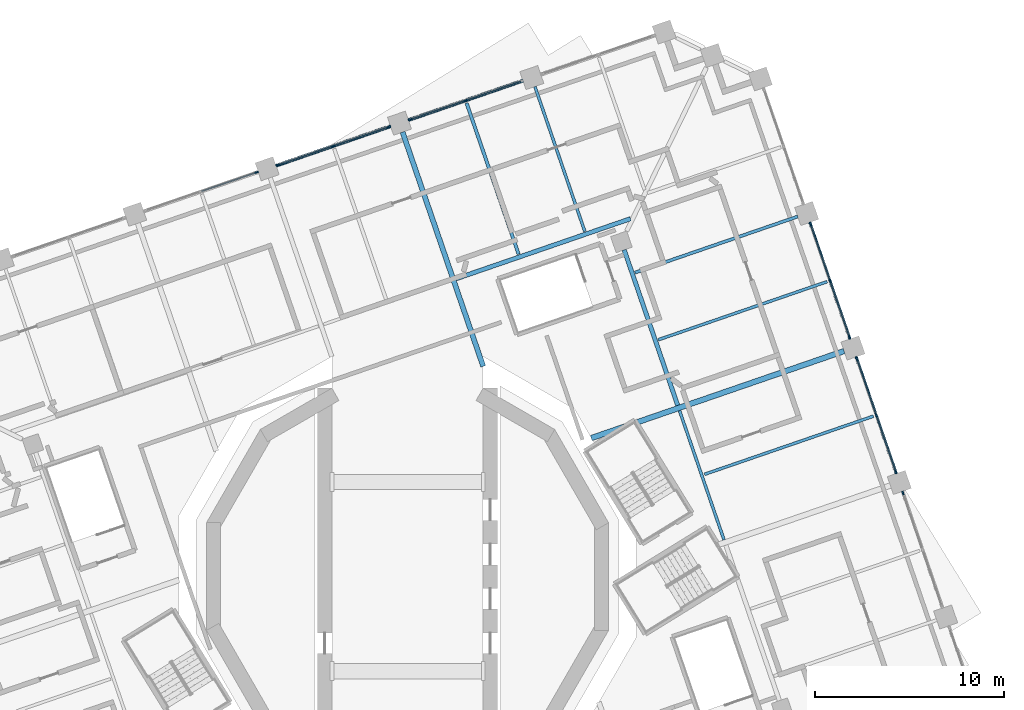
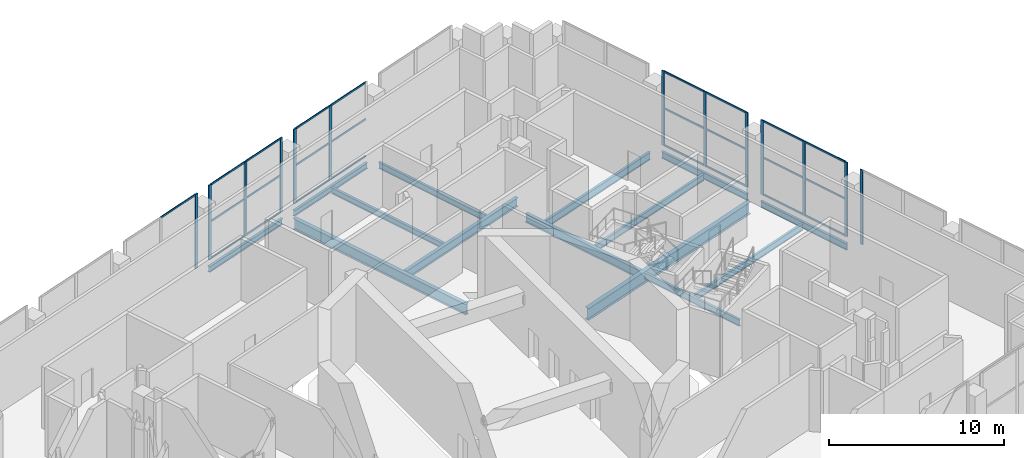
# One storey, part 7 of 20: 38 members, 14 beams, 6 elements without a shape of their own.
"""IFC4 building model written with IfcOpenShell, lengths in metres."""

from ifc_helpers import new_model, si_unit, direction, frame, origin, origin_2d, place, context, subcontext, project, spatial, rectangle, i_section, extrude, material, material_profile, profile_set, type_object, element, aggregate, save


model = new_model("IFC4")

# Units and contexts
model_context = context("Model", 3, precision=1e-05, world=origin(), true_north=direction((0.0, 1.0)))
body_context = subcontext(model_context, "Body", "Model", "MODEL_VIEW")
ifc_project = project(units=[si_unit("LENGTHUNIT", "METRE"), si_unit("AREAUNIT", "SQUARE_METRE"), si_unit("VOLUMEUNIT", "CUBIC_METRE"), si_unit("PLANEANGLEUNIT", "RADIAN"), si_unit("MASSUNIT", "GRAM", prefix="KILO")], contexts=[model_context])

# Site, building, storey
site_placement = place(None, origin())
site = spatial("IfcSite", under=ifc_project, at=site_placement, CompositionType="ELEMENT")
building_placement = place(site_placement, origin())
building = spatial("IfcBuilding", under=site, at=building_placement, Name="Cantera Rosa Tower", CompositionType="ELEMENT")
storey_placement = place(building_placement, frame((0.0, 0.0, 142.10009765625)))
storey = spatial("IfcBuildingStorey", under=building, at=storey_placement, Name="L30", CompositionType="ELEMENT", Elevation=142.10009765625)

# Curtain wall, member
ifc_material_1 = material(Name="Anodised aluminium louvre", Category="aluminium")
curtain_wall_type = type_object("IfcCurtainWallType", Name="CW3 REFUGE LOUVRE WALL", PredefinedType="NOTDEFINED", material=ifc_material_1)
curtain_wall_1_placement = place(storey_placement, origin())
curtain_wall_1 = element("IfcCurtainWall", 1, at=curtain_wall_1_placement, inside=storey, type_object=curtain_wall_type, Name="CW3 CW3", PredefinedType="NOTDEFINED")
ifc_material_2 = material(Name="Anodised bronze aluminium", Category="aluminium")
ifc_material_profile_1 = material_profile(ifc_material_2, rectangle(XDim=0.080078125, YDim=0.199951171875, at=origin_2d()), Name="CW-MULLION 80x200 REFUGE")
ifc_profile_set_1 = profile_set([ifc_material_profile_1], Name="Anodised bronze aluminium")
member_type_1 = type_object("IfcMemberType", Name="CW-MULLION 80x200 REFUGE", PredefinedType="MULLION", material=ifc_profile_set_1)
member_1_placement = place(storey_placement, frame((26.188720703125, 4.4169921875, 0.0), z_axis=(0.0, 0.0, 1.0), x_axis=(-0.945518575594, -0.325568154474, 0.0)))
member_1 = element("IfcMember", 2, at=member_1_placement, type_object=member_type_1, Name="CW3 mullion 3", PredefinedType="MULLION", context=body_context, shape_type="SweptSolid", body=[
    extrude(rectangle(XDim=0.080078125, YDim=0.199951171875, at=origin_2d()), origin(), (0.0, 0.0, 1.0), 5.199951171875),
])
aggregate(curtain_wall_1, [member_1])

# Curtain wall, members
curtain_wall_2_placement = place(storey_placement, origin())
curtain_wall_2 = element("IfcCurtainWall", 3, at=curtain_wall_2_placement, inside=storey, type_object=curtain_wall_type, Name="CW3 CW3", PredefinedType="NOTDEFINED")
member_2_placement = place(storey_placement, frame((25.8046875, 5.532470703125, 0.0), z_axis=(0.0, 0.0, 1.0), x_axis=(-0.945518575605, -0.325568154441, 0.0)))
member_2 = element("IfcMember", 4, at=member_2_placement, type_object=member_type_1, Name="CW3 mullion 1", PredefinedType="MULLION", context=body_context, shape_type="SweptSolid", body=[
    extrude(rectangle(XDim=0.080078125, YDim=0.199951171875, at=origin_2d()), origin(), (0.0, 0.0, 1.0), 5.199951171875),
])
member_3_placement = place(storey_placement, frame((24.772705078125, 8.52978515625, 0.0), z_axis=(0.0, 0.0, 1.0), x_axis=(-0.945518575605, -0.325568154441, 0.0)))
member_3 = element("IfcMember", 5, at=member_3_placement, type_object=member_type_1, Name="CW3 mullion 2", PredefinedType="MULLION", context=body_context, shape_type="SweptSolid", body=[
    extrude(rectangle(XDim=0.080078125, YDim=0.199951171875, at=origin_2d()), origin(), (0.0, 0.0, 1.0), 5.199951171875),
])
member_4_placement = place(storey_placement, frame((23.740478515625, 11.527099609375, 0.0), z_axis=(0.0, 0.0, 1.0), x_axis=(-0.945518575605, -0.325568154441, 0.0)))
member_4 = element("IfcMember", 6, at=member_4_placement, type_object=member_type_1, Name="CW3 mullion 3", PredefinedType="MULLION", context=body_context, shape_type="SweptSolid", body=[
    extrude(rectangle(XDim=0.080078125, YDim=0.199951171875, at=origin_2d()), origin(), (0.0, 0.0, 1.0), 5.199951171875),
])

curtain_wall_3_placement = place(storey_placement, origin())
curtain_wall_3 = element("IfcCurtainWall", 7, at=curtain_wall_3_placement, inside=storey, type_object=curtain_wall_type, Name="CW3 CW3", PredefinedType="NOTDEFINED")
member_5_placement = place(storey_placement, frame((23.3564453125, 12.642822265625, 0.0), z_axis=(0.0, 0.0, 1.0), x_axis=(-0.945518575594, -0.325568154474, 0.0)))
member_5 = element("IfcMember", 8, at=member_5_placement, type_object=member_type_1, Name="CW3 mullion 1", PredefinedType="MULLION", context=body_context, shape_type="SweptSolid", body=[
    extrude(rectangle(XDim=0.080078125, YDim=0.199951171875, at=origin_2d()), origin(), (0.0, 0.0, 1.0), 5.199951171875),
])
member_6_placement = place(storey_placement, frame((22.32421875, 15.64013671875, 0.0), z_axis=(0.0, 0.0, 1.0), x_axis=(-0.945518575594, -0.325568154474, 0.0)))
member_6 = element("IfcMember", 9, at=member_6_placement, type_object=member_type_1, Name="CW3 mullion 2", PredefinedType="MULLION", context=body_context, shape_type="SweptSolid", body=[
    extrude(rectangle(XDim=0.080078125, YDim=0.199951171875, at=origin_2d()), origin(), (0.0, 0.0, 1.0), 5.199951171875),
])
member_7_placement = place(storey_placement, frame((21.292236328125, 18.637451171875, 0.0), z_axis=(0.0, 0.0, 1.0), x_axis=(-0.945518575594, -0.325568154474, 0.0)))
member_7 = element("IfcMember", 10, at=member_7_placement, type_object=member_type_1, Name="CW3 mullion 3", PredefinedType="MULLION", context=body_context, shape_type="SweptSolid", body=[
    extrude(rectangle(XDim=0.080078125, YDim=0.199951171875, at=origin_2d()), origin(), (0.0, 0.0, 1.0), 5.199951171875),
])

curtain_wall_4_placement = place(storey_placement, origin())
curtain_wall_4 = element("IfcCurtainWall", 11, at=curtain_wall_4_placement, inside=storey, type_object=curtain_wall_type, Name="CW3 CW3", PredefinedType="NOTDEFINED")
member_8_placement = place(storey_placement, frame((3.072265625, 25.171630859375, 0.0), z_axis=(0.0, 0.0, 1.0), x_axis=(0.325568154457, -0.945518575599, 0.0)))
member_8 = element("IfcMember", 12, at=member_8_placement, type_object=member_type_1, Name="CW3 mullion 2", PredefinedType="MULLION", context=body_context, shape_type="SweptSolid", body=[
    extrude(rectangle(XDim=0.080078125, YDim=0.199951171875, at=origin_2d()), origin(), (0.0, 0.0, 1.0), 5.199951171875),
])
member_9_placement = place(storey_placement, frame((0.1318359375, 24.1591796875, 0.0), z_axis=(0.0, 0.0, 1.0), x_axis=(0.325568154457, -0.945518575599, 0.0)))
member_9 = element("IfcMember", 13, at=member_9_placement, type_object=member_type_1, Name="CW3 mullion 3", PredefinedType="MULLION", context=body_context, shape_type="SweptSolid", body=[
    extrude(rectangle(XDim=0.080078125, YDim=0.199951171875, at=origin_2d()), origin(), (0.0, 0.0, 1.0), 5.199951171875),
])

curtain_wall_5_placement = place(storey_placement, origin())
curtain_wall_5 = element("IfcCurtainWall", 14, at=curtain_wall_5_placement, inside=storey, type_object=curtain_wall_type, Name="CW3 CW3", PredefinedType="NOTDEFINED")
member_10_placement = place(storey_placement, frame((-0.98388671875, 23.77490234375, 0.0), z_axis=(0.0, 0.0, 1.0), x_axis=(0.325568154408, -0.945518575616, 0.0)))
member_10 = element("IfcMember", 15, at=member_10_placement, type_object=member_type_1, Name="CW3 mullion 1", PredefinedType="MULLION", context=body_context, shape_type="SweptSolid", body=[
    extrude(rectangle(XDim=0.080078125, YDim=0.199951171875, at=origin_2d()), origin(), (0.0, 0.0, 1.0), 5.199951171875),
])
member_11_placement = place(storey_placement, frame((-3.924560546875, 22.762451171875, 0.0), z_axis=(0.0, 0.0, 1.0), x_axis=(0.325568154408, -0.945518575616, 0.0)))
member_11 = element("IfcMember", 16, at=member_11_placement, type_object=member_type_1, Name="CW3 mullion 2", PredefinedType="MULLION", context=body_context, shape_type="SweptSolid", body=[
    extrude(rectangle(XDim=0.080078125, YDim=0.199951171875, at=origin_2d()), origin(), (0.0, 0.0, 1.0), 5.199951171875),
])
member_12_placement = place(storey_placement, frame((-6.864990234375, 21.75, 0.0), z_axis=(0.0, 0.0, 1.0), x_axis=(0.325568154408, -0.945518575616, 0.0)))
member_12 = element("IfcMember", 17, at=member_12_placement, type_object=member_type_1, Name="CW3 mullion 3", PredefinedType="MULLION", context=body_context, shape_type="SweptSolid", body=[
    extrude(rectangle(XDim=0.080078125, YDim=0.199951171875, at=origin_2d()), origin(), (0.0, 0.0, 1.0), 5.199951171875),
])

# Curtain wall, member
curtain_wall_6_placement = place(storey_placement, origin())
curtain_wall_6 = element("IfcCurtainWall", 18, at=curtain_wall_6_placement, inside=storey, type_object=curtain_wall_type, Name="CW3 CW3", PredefinedType="NOTDEFINED")
member_13_placement = place(storey_placement, frame((-7.980712890625, 21.36572265625, 0.0), z_axis=(0.0, 0.0, 1.0), x_axis=(0.325568154457, -0.945518575599, 0.0)))
member_13 = element("IfcMember", 19, at=member_13_placement, type_object=member_type_1, Name="CW3 mullion 1", PredefinedType="MULLION", context=body_context, shape_type="SweptSolid", body=[
    extrude(rectangle(XDim=0.080078125, YDim=0.199951171875, at=origin_2d()), origin(), (0.0, 0.0, 1.0), 5.199951171875),
])

# Member
ifc_material_3 = material(Name="Anodised bronze aluminium", Category="aluminium")
ifc_material_profile_2 = material_profile(ifc_material_3, rectangle(XDim=0.06005859375, YDim=0.1201171875, at=origin_2d()), Name="CW-TRANSOM 60x120 REFUGE")
ifc_profile_set_2 = profile_set([ifc_material_profile_2], Name="Anodised bronze aluminium")
member_type_2 = type_object("IfcMemberType", Name="CW-TRANSOM 60x120 REFUGE", PredefinedType="USERDEFINED", material=ifc_profile_set_2)
member_14_placement = place(storey_placement, frame((25.79150390625, 5.5703125, 0.02978515625), z_axis=(-0.325527993713, 0.945532403098, 0.0), x_axis=(-0.945532403098, -0.325527993713, 0.0)))
member_14 = element("IfcMember", 20, at=member_14_placement, type_object=member_type_2, Name="CW3 transom 1.1", ObjectType="TRANSOM", PredefinedType="USERDEFINED", context=body_context, shape_type="SweptSolid", body=[
    extrude(rectangle(XDim=0.06005859375, YDim=0.1201171875, at=origin_2d()), origin(), (0.0, 0.0, 1.0), 3.08984375),
])

member_15_placement = place(storey_placement, frame((25.79150390625, 5.5703125, 2.599853515625), z_axis=(-0.325527993713, 0.945532403098, 0.0), x_axis=(-0.945532403098, -0.325527993713, 0.0)))
member_15 = element("IfcMember", 21, at=member_15_placement, type_object=member_type_2, Name="CW3 transom 1.2", ObjectType="TRANSOM", PredefinedType="USERDEFINED", context=body_context, shape_type="SweptSolid", body=[
    extrude(rectangle(XDim=0.06005859375, YDim=0.1201171875, at=origin_2d()), origin(), (0.0, 0.0, 1.0), 3.08984375),
])

member_16_placement = place(storey_placement, frame((25.79150390625, 5.5703125, 5.169921875), z_axis=(-0.325527993713, 0.945532403098, 0.0), x_axis=(-0.945532403098, -0.325527993713, 0.0)))
member_16 = element("IfcMember", 22, at=member_16_placement, type_object=member_type_2, Name="CW3 transom 1.3", ObjectType="TRANSOM", PredefinedType="USERDEFINED", context=body_context, shape_type="SweptSolid", body=[
    extrude(rectangle(XDim=0.06005859375, YDim=0.1201171875, at=origin_2d()), origin(), (0.0, 0.0, 1.0), 3.08984375),
])

member_17_placement = place(storey_placement, frame((24.759521484375, 8.567626953125, 0.02978515625), z_axis=(-0.325527993713, 0.945532403098, 0.0), x_axis=(-0.945532403098, -0.325527993713, 0.0)))
member_17 = element("IfcMember", 23, at=member_17_placement, type_object=member_type_2, Name="CW3 transom 2.1", ObjectType="TRANSOM", PredefinedType="USERDEFINED", context=body_context, shape_type="SweptSolid", body=[
    extrude(rectangle(XDim=0.06005859375, YDim=0.1201171875, at=origin_2d()), origin(), (0.0, 0.0, 1.0), 3.08984375),
])

member_18_placement = place(storey_placement, frame((24.759521484375, 8.567626953125, 2.599853515625), z_axis=(-0.325527993713, 0.945532403098, 0.0), x_axis=(-0.945532403098, -0.325527993713, 0.0)))
member_18 = element("IfcMember", 24, at=member_18_placement, type_object=member_type_2, Name="CW3 transom 2.2", ObjectType="TRANSOM", PredefinedType="USERDEFINED", context=body_context, shape_type="SweptSolid", body=[
    extrude(rectangle(XDim=0.06005859375, YDim=0.1201171875, at=origin_2d()), origin(), (0.0, 0.0, 1.0), 3.08984375),
])

member_19_placement = place(storey_placement, frame((24.759521484375, 8.567626953125, 5.169921875), z_axis=(-0.325527993713, 0.945532403098, 0.0), x_axis=(-0.945532403098, -0.325527993713, 0.0)))
member_19 = element("IfcMember", 25, at=member_19_placement, type_object=member_type_2, Name="CW3 transom 2.3", ObjectType="TRANSOM", PredefinedType="USERDEFINED", context=body_context, shape_type="SweptSolid", body=[
    extrude(rectangle(XDim=0.06005859375, YDim=0.1201171875, at=origin_2d()), origin(), (0.0, 0.0, 1.0), 3.08984375),
])

aggregate(curtain_wall_2, [member_2, member_3, member_4, member_14, member_15, member_16, member_17, member_18, member_19])

member_20_placement = place(storey_placement, frame((23.34326171875, 12.6806640625, 0.02978515625), z_axis=(-0.325527993713, 0.945532403098, 0.0), x_axis=(-0.945532403098, -0.325527993713, 0.0)))
member_20 = element("IfcMember", 26, at=member_20_placement, type_object=member_type_2, Name="CW3 transom 1.1", ObjectType="TRANSOM", PredefinedType="USERDEFINED", context=body_context, shape_type="SweptSolid", body=[
    extrude(rectangle(XDim=0.06005859375, YDim=0.1201171875, at=origin_2d()), origin(), (0.0, 0.0, 1.0), 3.08984375),
])

member_21_placement = place(storey_placement, frame((23.34326171875, 12.6806640625, 2.599853515625), z_axis=(-0.325527993713, 0.945532403098, 0.0), x_axis=(-0.945532403098, -0.325527993713, 0.0)))
member_21 = element("IfcMember", 27, at=member_21_placement, type_object=member_type_2, Name="CW3 transom 1.2", ObjectType="TRANSOM", PredefinedType="USERDEFINED", context=body_context, shape_type="SweptSolid", body=[
    extrude(rectangle(XDim=0.06005859375, YDim=0.1201171875, at=origin_2d()), origin(), (0.0, 0.0, 1.0), 3.08984375),
])

member_22_placement = place(storey_placement, frame((23.34326171875, 12.6806640625, 5.169921875), z_axis=(-0.325527993713, 0.945532403098, 0.0), x_axis=(-0.945532403098, -0.325527993713, 0.0)))
member_22 = element("IfcMember", 28, at=member_22_placement, type_object=member_type_2, Name="CW3 transom 1.3", ObjectType="TRANSOM", PredefinedType="USERDEFINED", context=body_context, shape_type="SweptSolid", body=[
    extrude(rectangle(XDim=0.06005859375, YDim=0.1201171875, at=origin_2d()), origin(), (0.0, 0.0, 1.0), 3.08984375),
])

member_23_placement = place(storey_placement, frame((22.311279296875, 15.677978515625, 0.02978515625), z_axis=(-0.325598629893, 0.945508081516, 0.0), x_axis=(-0.945508081516, -0.325598629893, 0.0)))
member_23 = element("IfcMember", 29, at=member_23_placement, type_object=member_type_2, Name="CW3 transom 2.1", ObjectType="TRANSOM", PredefinedType="USERDEFINED", context=body_context, shape_type="SweptSolid", body=[
    extrude(rectangle(XDim=0.06005859375, YDim=0.1201171875, at=origin_2d()), origin(), (0.0, 0.0, 1.0), 3.090087890625),
])

member_24_placement = place(storey_placement, frame((22.311279296875, 15.677978515625, 2.599853515625), z_axis=(-0.325598629893, 0.945508081516, 0.0), x_axis=(-0.945508081516, -0.325598629893, 0.0)))
member_24 = element("IfcMember", 30, at=member_24_placement, type_object=member_type_2, Name="CW3 transom 2.2", ObjectType="TRANSOM", PredefinedType="USERDEFINED", context=body_context, shape_type="SweptSolid", body=[
    extrude(rectangle(XDim=0.06005859375, YDim=0.1201171875, at=origin_2d()), origin(), (0.0, 0.0, 1.0), 3.090087890625),
])

member_25_placement = place(storey_placement, frame((22.311279296875, 15.677978515625, 5.169921875), z_axis=(-0.325598629893, 0.945508081516, 0.0), x_axis=(-0.945508081516, -0.325598629893, 0.0)))
member_25 = element("IfcMember", 31, at=member_25_placement, type_object=member_type_2, Name="CW3 transom 2.3", ObjectType="TRANSOM", PredefinedType="USERDEFINED", context=body_context, shape_type="SweptSolid", body=[
    extrude(rectangle(XDim=0.06005859375, YDim=0.1201171875, at=origin_2d()), origin(), (0.0, 0.0, 1.0), 3.090087890625),
])

aggregate(curtain_wall_3, [member_5, member_6, member_7, member_20, member_21, member_22, member_23, member_24, member_25])

member_26_placement = place(storey_placement, frame((5.97509765625, 26.171142578125, 0.02978515625), z_axis=(-0.94551075118, -0.325590877334, 0.0), x_axis=(0.325590877334, -0.94551075118, 0.0)))
member_26 = element("IfcMember", 32, at=member_26_placement, type_object=member_type_2, Name="CW3 transom 1.1", ObjectType="TRANSOM", PredefinedType="USERDEFINED", context=body_context, shape_type="SweptSolid", body=[
    extrude(rectangle(XDim=0.06005859375, YDim=0.1201171875, at=origin_2d()), origin(), (0.0, 0.0, 1.0), 3.030029296875),
])

member_27_placement = place(storey_placement, frame((5.97509765625, 26.171142578125, 2.599853515625), z_axis=(-0.94551075118, -0.325590877334, 0.0), x_axis=(0.325590877334, -0.94551075118, 0.0)))
member_27 = element("IfcMember", 33, at=member_27_placement, type_object=member_type_2, Name="CW3 transom 1.2", ObjectType="TRANSOM", PredefinedType="USERDEFINED", context=body_context, shape_type="SweptSolid", body=[
    extrude(rectangle(XDim=0.06005859375, YDim=0.1201171875, at=origin_2d()), origin(), (0.0, 0.0, 1.0), 3.030029296875),
])

member_28_placement = place(storey_placement, frame((5.97509765625, 26.171142578125, 5.169921875), z_axis=(-0.94551075118, -0.325590877334, 0.0), x_axis=(0.325590877334, -0.94551075118, 0.0)))
member_28 = element("IfcMember", 34, at=member_28_placement, type_object=member_type_2, Name="CW3 transom 1.3", ObjectType="TRANSOM", PredefinedType="USERDEFINED", context=body_context, shape_type="SweptSolid", body=[
    extrude(rectangle(XDim=0.06005859375, YDim=0.1201171875, at=origin_2d()), origin(), (0.0, 0.0, 1.0), 3.030029296875),
])

member_29_placement = place(storey_placement, frame((3.034423828125, 25.15869140625, 0.02978515625), z_axis=(-0.945502208828, -0.325615683132, 0.0), x_axis=(0.325615683132, -0.945502208828, 0.0)))
member_29 = element("IfcMember", 35, at=member_29_placement, type_object=member_type_2, Name="CW3 transom 2.1", ObjectType="TRANSOM", PredefinedType="USERDEFINED", context=body_context, shape_type="SweptSolid", body=[
    extrude(rectangle(XDim=0.06005859375, YDim=0.1201171875, at=origin_2d()), origin(), (0.0, 0.0, 1.0), 3.02978515625),
])

member_30_placement = place(storey_placement, frame((3.034423828125, 25.15869140625, 2.599853515625), z_axis=(-0.945502208828, -0.325615683132, 0.0), x_axis=(0.325615683132, -0.945502208828, 0.0)))
member_30 = element("IfcMember", 36, at=member_30_placement, type_object=member_type_2, Name="CW3 transom 2.2", ObjectType="TRANSOM", PredefinedType="USERDEFINED", context=body_context, shape_type="SweptSolid", body=[
    extrude(rectangle(XDim=0.06005859375, YDim=0.1201171875, at=origin_2d()), origin(), (0.0, 0.0, 1.0), 3.02978515625),
])

member_31_placement = place(storey_placement, frame((3.034423828125, 25.15869140625, 5.169921875), z_axis=(-0.945502208828, -0.325615683132, 0.0), x_axis=(0.325615683132, -0.945502208828, 0.0)))
member_31 = element("IfcMember", 37, at=member_31_placement, type_object=member_type_2, Name="CW3 transom 2.3", ObjectType="TRANSOM", PredefinedType="USERDEFINED", context=body_context, shape_type="SweptSolid", body=[
    extrude(rectangle(XDim=0.06005859375, YDim=0.1201171875, at=origin_2d()), origin(), (0.0, 0.0, 1.0), 3.02978515625),
])

aggregate(curtain_wall_4, [member_8, member_9, member_26, member_27, member_28, member_29, member_30, member_31])

member_32_placement = place(storey_placement, frame((-1.021728515625, 23.761962890625, 0.02978515625), z_axis=(-0.94551075118, -0.325590877334, 0.0), x_axis=(0.325590877334, -0.94551075118, 0.0)))
member_32 = element("IfcMember", 38, at=member_32_placement, type_object=member_type_2, Name="CW3 transom 1.1", ObjectType="TRANSOM", PredefinedType="USERDEFINED", context=body_context, shape_type="SweptSolid", body=[
    extrude(rectangle(XDim=0.06005859375, YDim=0.1201171875, at=origin_2d()), origin(), (0.0, 0.0, 1.0), 3.030029296875),
])

member_33_placement = place(storey_placement, frame((-1.021728515625, 23.761962890625, 2.599853515625), z_axis=(-0.94551075118, -0.325590877334, 0.0), x_axis=(0.325590877334, -0.94551075118, 0.0)))
member_33 = element("IfcMember", 39, at=member_33_placement, type_object=member_type_2, Name="CW3 transom 1.2", ObjectType="TRANSOM", PredefinedType="USERDEFINED", context=body_context, shape_type="SweptSolid", body=[
    extrude(rectangle(XDim=0.06005859375, YDim=0.1201171875, at=origin_2d()), origin(), (0.0, 0.0, 1.0), 3.030029296875),
])

member_34_placement = place(storey_placement, frame((-1.021728515625, 23.761962890625, 5.169921875), z_axis=(-0.94551075118, -0.325590877334, 0.0), x_axis=(0.325590877334, -0.94551075118, 0.0)))
member_34 = element("IfcMember", 40, at=member_34_placement, type_object=member_type_2, Name="CW3 transom 1.3", ObjectType="TRANSOM", PredefinedType="USERDEFINED", context=body_context, shape_type="SweptSolid", body=[
    extrude(rectangle(XDim=0.06005859375, YDim=0.1201171875, at=origin_2d()), origin(), (0.0, 0.0, 1.0), 3.030029296875),
])

member_35_placement = place(storey_placement, frame((-3.96240234375, 22.74951171875, 0.02978515625), z_axis=(-0.94551075118, -0.325590877334, 0.0), x_axis=(0.325590877334, -0.94551075118, 0.0)))
member_35 = element("IfcMember", 41, at=member_35_placement, type_object=member_type_2, Name="CW3 transom 2.1", ObjectType="TRANSOM", PredefinedType="USERDEFINED", context=body_context, shape_type="SweptSolid", body=[
    extrude(rectangle(XDim=0.06005859375, YDim=0.1201171875, at=origin_2d()), origin(), (0.0, 0.0, 1.0), 3.030029296875),
])

member_36_placement = place(storey_placement, frame((-3.96240234375, 22.74951171875, 2.599853515625), z_axis=(-0.94551075118, -0.325590877334, 0.0), x_axis=(0.325590877334, -0.94551075118, 0.0)))
member_36 = element("IfcMember", 42, at=member_36_placement, type_object=member_type_2, Name="CW3 transom 2.2", ObjectType="TRANSOM", PredefinedType="USERDEFINED", context=body_context, shape_type="SweptSolid", body=[
    extrude(rectangle(XDim=0.06005859375, YDim=0.1201171875, at=origin_2d()), origin(), (0.0, 0.0, 1.0), 3.030029296875),
])

member_37_placement = place(storey_placement, frame((-3.96240234375, 22.74951171875, 5.169921875), z_axis=(-0.94551075118, -0.325590877334, 0.0), x_axis=(0.325590877334, -0.94551075118, 0.0)))
member_37 = element("IfcMember", 43, at=member_37_placement, type_object=member_type_2, Name="CW3 transom 2.3", ObjectType="TRANSOM", PredefinedType="USERDEFINED", context=body_context, shape_type="SweptSolid", body=[
    extrude(rectangle(XDim=0.06005859375, YDim=0.1201171875, at=origin_2d()), origin(), (0.0, 0.0, 1.0), 3.030029296875),
])

aggregate(curtain_wall_5, [member_10, member_11, member_12, member_32, member_33, member_34, member_35, member_36, member_37])

member_38_placement = place(storey_placement, frame((-8.0185546875, 21.352783203125, 5.169921875), z_axis=(-0.94551075118, -0.325590877334, 0.0), x_axis=(0.325590877334, -0.94551075118, 0.0)))
member_38 = element("IfcMember", 44, at=member_38_placement, type_object=member_type_2, Name="CW3 transom 1.3", ObjectType="TRANSOM", PredefinedType="USERDEFINED", context=body_context, shape_type="SweptSolid", body=[
    extrude(rectangle(XDim=0.06005859375, YDim=0.1201171875, at=origin_2d()), origin(), (0.0, 0.0, 1.0), 3.030029296875),
])

aggregate(curtain_wall_6, [member_13, member_38])

# Beams
ifc_material_4 = material(Name="Steel ASTM A992 (Fy 345 MPa)", Category="steel")
ifc_material_profile_3 = material_profile(ifc_material_4, i_section(OverallWidth=0.154052734375, OverallDepth=0.4599609375, WebThickness=0.009033203125, FlangeThickness=0.015380859375, FilletRadius=0.01025390625, at=origin_2d()), Name="W460X68")
ifc_profile_set_3 = profile_set([ifc_material_profile_3], Name="Steel ASTM A992 (Fy 345 MPa)")
beam_type_1 = type_object("IfcBeamType", Name="STEEL BEAM W460X68", PredefinedType="BEAM", material=ifc_profile_set_3)
beam_1_placement = place(storey_placement, frame((6.7333984375, 25.903564453125, -0.68017578125), z_axis=(0.325580085327, -0.945514467387, 0.0), x_axis=(0.945514467387, 0.325580085327, 0.0)))
element("IfcBeam", 45, at=beam_1_placement, inside=storey, type_object=beam_type_1, Name="G-Z2-05 L30", PredefinedType="BEAM", context=body_context, shape_type="SweptSolid", body=[
    extrude(i_section(OverallWidth=0.154052734375, OverallDepth=0.4599609375, WebThickness=0.009033203125, FlangeThickness=0.015380859375, FilletRadius=0.01025390625, at=origin_2d()), origin(), (0.0, 0.0, 1.0), 8.10009765625),
])
beam_2_placement = place(storey_placement, frame((16.72900390625, 1.9423828125, -0.68017578125), z_axis=(-0.325575881702, 0.94551591486, 0.0), x_axis=(-0.94551591486, -0.325575881702, 0.0)))
element("IfcBeam", 46, at=beam_2_placement, inside=storey, type_object=beam_type_1, Name="RB-Z2-10 L30", PredefinedType="BEAM", context=body_context, shape_type="SweptSolid", body=[
    extrude(i_section(OverallWidth=0.154052734375, OverallDepth=0.4599609375, WebThickness=0.009033203125, FlangeThickness=0.015380859375, FilletRadius=0.01025390625, at=origin_2d()), origin(), (0.0, 0.0, 1.0), 7.2197265625),
])
ifc_material_5 = material(Name="Steel ASTM A992 (Fy 345 MPa)", Category="steel")
ifc_material_profile_4 = material_profile(ifc_material_5, i_section(OverallWidth=0.166015625, OverallDepth=0.528076171875, WebThickness=0.009765625, FlangeThickness=0.013671875, FilletRadius=0.0126953125, at=origin_2d()), Name="W530X74")
ifc_profile_set_4 = profile_set([ifc_material_profile_4], Name="Steel ASTM A992 (Fy 345 MPa)")
beam_type_2 = type_object("IfcBeamType", Name="STEEL BEAM W530X74", PredefinedType="BEAM", material=ifc_profile_set_4)
beam_3_placement = place(storey_placement, frame((20.62744140625, 19.032470703125, -0.714111328125), z_axis=(-0.94551971591, -0.325564842737, 0.0), x_axis=(0.325564842737, -0.94551971591, 0.0)))
element("IfcBeam", 47, at=beam_3_placement, inside=storey, type_object=beam_type_2, Name="G-Z2-04 L30", PredefinedType="BEAM", context=body_context, shape_type="SweptSolid", body=[
    extrude(i_section(OverallWidth=0.166015625, OverallDepth=0.528076171875, WebThickness=0.009765625, FlangeThickness=0.013671875, FilletRadius=0.0126953125, at=origin_2d()), origin(), (0.0, 0.0, 1.0), 9.10009765625),
])
ifc_material_6 = material(Name="Steel ASTM A992 (Fy 345 MPa)", Category="steel")
ifc_material_profile_5 = material_profile(ifc_material_6, i_section(OverallWidth=0.22802734375, OverallDepth=0.60205078125, WebThickness=0.010498046875, FlangeThickness=0.014892578125, FilletRadius=0.0126953125, at=origin_2d()), Name="W610X101")
ifc_profile_set_5 = profile_set([ifc_material_profile_5], Name="Steel ASTM A992 (Fy 345 MPa)")
beam_type_3 = type_object("IfcBeamType", Name="STEEL BEAM W610X101", PredefinedType="BEAM", material=ifc_profile_set_5)
beam_4_placement = place(storey_placement, frame((14.28076171875, 9.052490234375, -0.7509765625), z_axis=(-0.325559468466, 0.945521566381, 0.0), x_axis=(-0.945521566381, -0.325559468466, 0.0)))
element("IfcBeam", 48, at=beam_4_placement, inside=storey, type_object=beam_type_3, Name="RB-Z2-11 L30", PredefinedType="BEAM", context=body_context, shape_type="SweptSolid", body=[
    extrude(i_section(OverallWidth=0.22802734375, OverallDepth=0.60205078125, WebThickness=0.010498046875, FlangeThickness=0.014892578125, FilletRadius=0.0126953125, at=origin_2d()), origin(), (0.0, 0.0, 1.0), 8.68994140625),
])
ifc_material_7 = material(Name="Steel ASTM A992 (Fy 345 MPa)", Category="steel")
ifc_material_profile_6 = material_profile(ifc_material_7, i_section(OverallWidth=0.22900390625, OverallDepth=0.612060546875, WebThickness=0.011962890625, FlangeThickness=0.01953125, FilletRadius=0.0126953125, at=origin_2d()), Name="W610X125")
ifc_profile_set_6 = profile_set([ifc_material_profile_6], Name="Steel ASTM A992 (Fy 345 MPa)")
beam_type_4 = type_object("IfcBeamType", Name="STEEL BEAM W610X125", PredefinedType="BEAM", material=ifc_profile_set_6)
beam_5_placement = place(storey_placement, frame((2.564453125, 15.74267578125, -0.756103515625), z_axis=(0.945524824291, 0.325550006372, 0.0), x_axis=(-0.325550006372, 0.945524824291, 0.0)))
element("IfcBeam", 49, at=beam_5_placement, inside=storey, type_object=beam_type_4, Name="RB-Z2-04 L30", PredefinedType="BEAM", context=body_context, shape_type="SweptSolid", body=[
    extrude(i_section(OverallWidth=0.22900390625, OverallDepth=0.612060546875, WebThickness=0.011962890625, FlangeThickness=0.01953125, FilletRadius=0.0126953125, at=origin_2d()), origin(), (0.0, 0.0, 1.0), 9.749755859375),
])
ifc_material_8 = material(Name="Steel ASTM A992 (Fy 345 MPa)", Category="steel")
ifc_material_profile_7 = material_profile(ifc_material_8, i_section(OverallWidth=0.26708984375, OverallDepth=0.75390625, WebThickness=0.01318359375, FlangeThickness=0.01708984375, FilletRadius=0.0166015625, at=origin_2d()), Name="W760X147")
ifc_profile_set_7 = profile_set([ifc_material_profile_7], Name="Steel ASTM A992 (Fy 345 MPa)")
beam_type_5 = type_object("IfcBeamType", Name="STEEL BEAM W760X147", PredefinedType="BEAM", material=ifc_profile_set_7)
beam_6_placement = place(storey_placement, frame((-0.263427734375, 23.494384765625, -0.8271484375), z_axis=(0.325569500581, -0.945518112091, 0.0), x_axis=(0.945518112091, 0.325569500581, 0.0)))
element("IfcBeam", 50, at=beam_6_placement, inside=storey, type_object=beam_type_5, Name="G-Z2-06 L30", PredefinedType="BEAM", context=body_context, shape_type="SweptSolid", body=[
    extrude(i_section(OverallWidth=0.26708984375, OverallDepth=0.75390625, WebThickness=0.01318359375, FlangeThickness=0.01708984375, FilletRadius=0.0166015625, at=origin_2d()), origin(), (0.0, 0.0, 1.0), 13.09521484375),
])
ifc_material_9 = material(Name="Steel ASTM A992 (Fy 345 MPa)", Category="steel")
ifc_material_profile_8 = material_profile(ifc_material_9, i_section(OverallWidth=0.2919921875, OverallDepth=0.8359375, WebThickness=0.013916015625, FlangeThickness=0.018798828125, FilletRadius=0.017822265625, at=origin_2d()), Name="W840X176")
ifc_profile_set_8 = profile_set([ifc_material_profile_8], Name="Steel ASTM A992 (Fy 345 MPa)")
beam_type_6 = type_object("IfcBeamType", Name="STEEL BEAM W840X176", PredefinedType="BEAM", material=ifc_profile_set_8)
beam_7_placement = place(storey_placement, frame((23.07568359375, 11.92236328125, -0.8681640625), z_axis=(-0.945516836256, -0.325573205833, 0.0), x_axis=(0.325573205833, -0.945516836256, 0.0)))
element("IfcBeam", 51, at=beam_7_placement, inside=storey, type_object=beam_type_6, Name="G-Z2-03 L30", PredefinedType="BEAM", context=body_context, shape_type="SweptSolid", body=[
    extrude(i_section(OverallWidth=0.2919921875, OverallDepth=0.8359375, WebThickness=0.013916015625, FlangeThickness=0.018798828125, FilletRadius=0.017822265625, at=origin_2d()), origin(), (0.0, 0.0, 1.0), 14.130615234375),
])
ifc_material_10 = material(Name="Steel ASTM A992 (Fy 345 MPa)", Category="steel")
ifc_material_profile_9 = material_profile(ifc_material_10, i_section(OverallWidth=0.177978515625, OverallDepth=0.406005859375, WebThickness=0.0078125, FlangeThickness=0.0126953125, FilletRadius=0.01025390625, at=origin_2d()), Name="W410X60")
ifc_profile_set_9 = profile_set([ifc_material_profile_9], Name="Steel ASTM A992 (Fy 345 MPa)")
beam_type_7 = type_object("IfcBeamType", Name="STEEL JOIST W410X60", PredefinedType="JOIST", material=ifc_profile_set_9)
beam_8_placement = place(storey_placement, frame((3.12109375, 25.02978515625, -0.653076171875), z_axis=(0.325565025235, -0.945519653071, 0.0), x_axis=(0.945519653071, 0.325565025235, 0.0)))
element("IfcBeam", 52, at=beam_8_placement, inside=storey, type_object=beam_type_7, Name="B-Z2-07 L30", PredefinedType="JOIST", context=body_context, shape_type="SweptSolid", body=[
    extrude(i_section(OverallWidth=0.177978515625, OverallDepth=0.406005859375, WebThickness=0.0078125, FlangeThickness=0.0126953125, FilletRadius=0.01025390625, at=origin_2d()), origin(), (0.0, 0.0, 1.0), 8.449951171875),
])
ifc_material_11 = material(Name="Steel ASTM A992 (Fy 345 MPa)", Category="steel")
ifc_material_profile_10 = material_profile(ifc_material_11, i_section(OverallWidth=0.154052734375, OverallDepth=0.4599609375, WebThickness=0.009033203125, FlangeThickness=0.015380859375, FilletRadius=0.01025390625, at=origin_2d()), Name="W460X68")
ifc_profile_set_10 = profile_set([ifc_material_profile_10], Name="Steel ASTM A992 (Fy 345 MPa)")
beam_type_8 = type_object("IfcBeamType", Name="STEEL JOIST W460X68", PredefinedType="JOIST", material=ifc_profile_set_10)
beam_9_placement = place(storey_placement, frame((24.630859375, 8.48095703125, -0.68017578125), z_axis=(-0.945526896389, -0.325543988125, 0.0), x_axis=(0.325543988125, -0.945526896389, 0.0)))
element("IfcBeam", 53, at=beam_9_placement, inside=storey, type_object=beam_type_8, Name="B-Z2-03 L30", PredefinedType="JOIST", context=body_context, shape_type="SweptSolid", body=[
    extrude(i_section(OverallWidth=0.154052734375, OverallDepth=0.4599609375, WebThickness=0.009033203125, FlangeThickness=0.015380859375, FilletRadius=0.01025390625, at=origin_2d()), origin(), (0.0, 0.0, 1.0), 9.4501953125),
])
beam_10_placement = place(storey_placement, frame((22.182373046875, 15.59130859375, -0.68017578125), z_axis=(-0.94551620555, -0.325575037498, 0.0), x_axis=(0.325575037498, -0.94551620555, 0.0)))
element("IfcBeam", 54, at=beam_10_placement, inside=storey, type_object=beam_type_8, Name="B-Z2-04 L30", PredefinedType="JOIST", context=body_context, shape_type="SweptSolid", body=[
    extrude(i_section(OverallWidth=0.154052734375, OverallDepth=0.4599609375, WebThickness=0.009033203125, FlangeThickness=0.015380859375, FilletRadius=0.01025390625, at=origin_2d()), origin(), (0.0, 0.0, 1.0), 9.449951171875),
])
ifc_material_12 = material(Name="Steel ASTM A992 (Fy 345 MPa)", Category="steel")
ifc_material_profile_11 = material_profile(ifc_material_12, i_section(OverallWidth=0.177978515625, OverallDepth=0.406005859375, WebThickness=0.0078125, FlangeThickness=0.0126953125, FilletRadius=0.01025390625, at=origin_2d()), Name="W410X60")
ifc_profile_set_11 = profile_set([ifc_material_profile_11], Name="Steel ASTM A992 (Fy 345 MPa)")
beam_type_9 = type_object("IfcBeamType", Name="STEEL SPANDREL BEAM W410X60", PredefinedType="SPANDREL", material=ifc_profile_set_11)
for number, where, z_axis, x_axis, name in (
    (55, (6.097900390625, 26.21337890625, -0.653076171875), (-0.945524496524, -0.325550958337, 0.0), (0.325550958337, -0.945524496524, 0.0), "EB-Z2-09 L30"),
    (56, (-0.89892578125, 23.80419921875, -0.653076171875), (-0.945524496524, -0.325550958337, 0.0), (0.325550958337, -0.945524496524, 0.0), "EB-Z2-10 L30"),
):
    element("IfcBeam", number, at=place(storey_placement, frame(where, z_axis=z_axis, x_axis=x_axis)), inside=storey, type_object=beam_type_9, Name=name, PredefinedType="SPANDREL", context=body_context, shape_type="SweptSolid", body=[
        extrude(i_section(OverallWidth=0.177978515625, OverallDepth=0.406005859375, WebThickness=0.0078125, FlangeThickness=0.0126953125, FilletRadius=0.01025390625, at=origin_2d()), origin(), (0.0, 0.0, 1.0), 6.39990234375),
    ])
ifc_material_13 = material(Name="Steel ASTM A992 (Fy 345 MPa)", Category="steel")
ifc_material_profile_12 = material_profile(ifc_material_13, i_section(OverallWidth=0.154052734375, OverallDepth=0.4599609375, WebThickness=0.009033203125, FlangeThickness=0.015380859375, FilletRadius=0.01025390625, at=origin_2d()), Name="W460X68")
ifc_profile_set_12 = profile_set([ifc_material_profile_12], Name="Steel ASTM A992 (Fy 345 MPa)")
beam_type_10 = type_object("IfcBeamType", Name="STEEL SPANDREL BEAM W460X68", PredefinedType="SPANDREL", material=ifc_profile_set_12)
for number, where, z_axis, x_axis, name in (
    (57, (25.833984375, 5.447509765625, -0.68017578125), (-0.325580990241, 0.945514155787, 0.0), (-0.945514155787, -0.325580990241, 0.0), "EB-Z2-03 L30"),
    (58, (23.3857421875, 12.557861328125, -0.68017578125), (-0.325580990241, 0.945514155787, 0.0), (-0.945514155787, -0.325580990241, 0.0), "EB-Z2-04 L30"),
):
    element("IfcBeam", number, at=place(storey_placement, frame(where, z_axis=z_axis, x_axis=x_axis)), inside=storey, type_object=beam_type_10, Name=name, PredefinedType="SPANDREL", context=body_context, shape_type="SweptSolid", body=[
        extrude(i_section(OverallWidth=0.154052734375, OverallDepth=0.4599609375, WebThickness=0.009033203125, FlangeThickness=0.015380859375, FilletRadius=0.01025390625, at=origin_2d()), origin(), (0.0, 0.0, 1.0), 6.52001953125),
    ])

save(model, "model.ifc")
